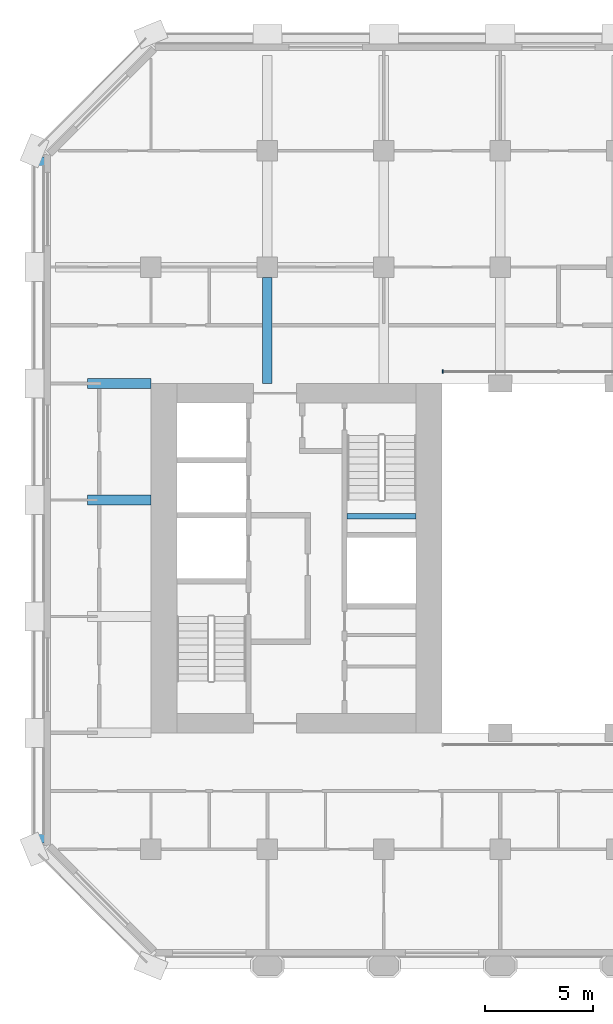
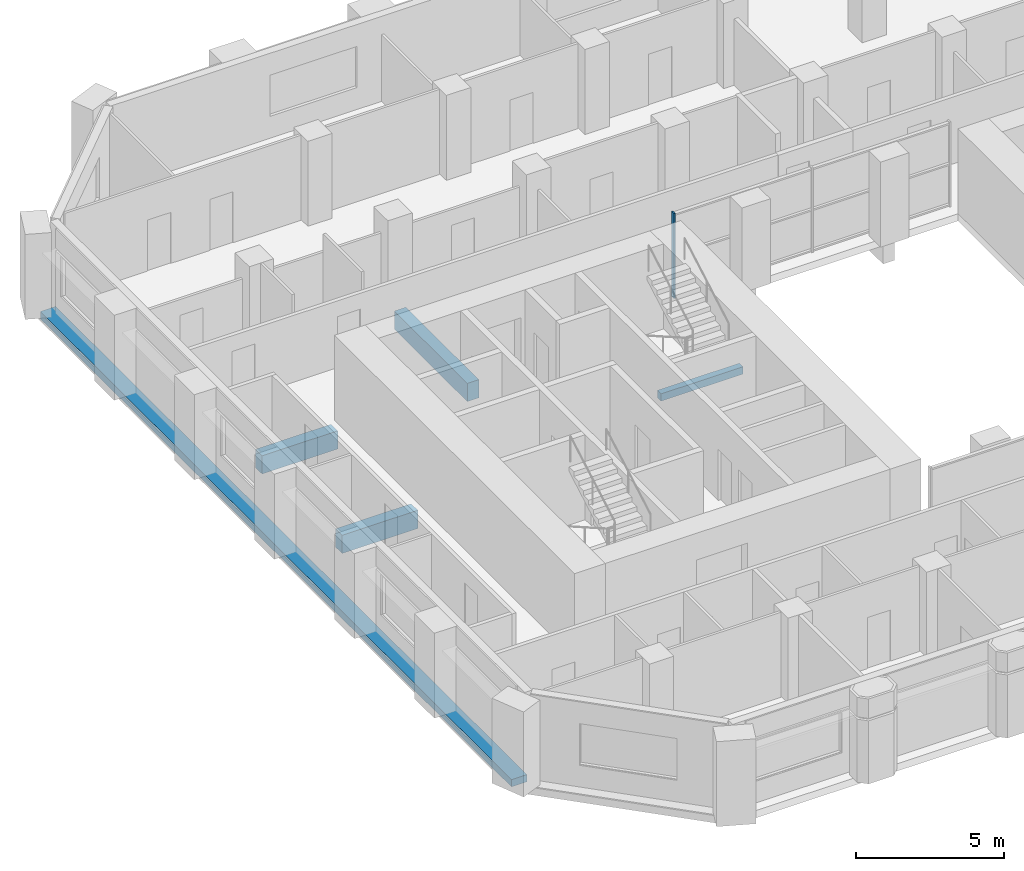
# One storey, part 3 of 13: 5 beams, 1 member, 1 element without a shape of its own.
"""IFC4 building model written with IfcOpenShell, lengths in metres."""

from ifc_helpers import new_model, si_unit, direction, frame, origin, origin_2d, place, context, subcontext, project, spatial, rectangle, extrude, material, material_profile, profile_set, type_object, element, aggregate, save


model = new_model("IFC4")

# Units and contexts
model_context = context("Model", 3, precision=1e-05, world=origin(), true_north=direction((0.0, 1.0)))
body_context = subcontext(model_context, "Body", "Model", "MODEL_VIEW")
ifc_project = project(units=[si_unit("LENGTHUNIT", "METRE"), si_unit("AREAUNIT", "SQUARE_METRE"), si_unit("VOLUMEUNIT", "CUBIC_METRE"), si_unit("PLANEANGLEUNIT", "RADIAN"), si_unit("MASSUNIT", "GRAM", prefix="KILO")], contexts=[model_context])

# Site, building, storey
site_placement = place(None, origin())
site = spatial("IfcSite", under=ifc_project, at=site_placement, CompositionType="ELEMENT")
building_placement = place(site_placement, origin())
building = spatial("IfcBuilding", under=site, at=building_placement, Name="Tabaq Tower and Sports Hall", CompositionType="ELEMENT")
storey_placement = place(building_placement, frame((0.0, 0.0, 110.60009765625)))
storey = spatial("IfcBuildingStorey", under=building, at=storey_placement, Name="L26", CompositionType="ELEMENT", Elevation=110.60009765625)

# Curtain wall, member
ifc_material_1 = material(Name="Aluminium alloy 6063-T6 framed glazing", Category="aluminium")
curtain_wall_type = type_object("IfcCurtainWallType", Name="CW1 curtain wall", PredefinedType="USERDEFINED", material=ifc_material_1)
curtain_wall_placement = place(storey_placement, origin())
curtain_wall = element("IfcCurtainWall", 1, at=curtain_wall_placement, inside=storey, type_object=curtain_wall_type, Name="Atrium glazing L26 N", ObjectType="ATRIUM ENCLOSURE", PredefinedType="USERDEFINED")
ifc_material_2 = material(Name="Aluminium alloy 6063-T6", Category="aluminium")
ifc_material_profile_1 = material_profile(ifc_material_2, rectangle(XDim=0.159912109375, YDim=0.06005859375, at=origin_2d()), Name="MULLION 160x60")
ifc_profile_set_1 = profile_set([ifc_material_profile_1], Name="Aluminium alloy 6063-T6")
member_type = type_object("IfcMemberType", Name="CW1 mullion 160x60", PredefinedType="MULLION", material=ifc_profile_set_1)
member_placement = place(storey_placement, frame((18.929931640625, 32.949951171875, 0.0), z_axis=(0.0, 0.0, 1.0), x_axis=(0.0, 1.0, 0.0)))
member = element("IfcMember", 2, at=member_placement, type_object=member_type, Name="CW1 mullion 1", PredefinedType="MULLION", context=body_context, shape_type="SweptSolid", body=[
    extrude(rectangle(XDim=0.159912109375, YDim=0.06005859375, at=origin_2d()), origin(), (0.0, 0.0, 1.0), 3.5),
])
aggregate(curtain_wall, [member])

# Beams
ifc_material_3 = material(Name="Concrete C40/50", Category="concrete")
ifc_material_profile_2 = material_profile(ifc_material_3, rectangle(XDim=0.449951171875, YDim=0.75, at=origin_2d()), Name="CB 450x750")
ifc_profile_set_2 = profile_set([ifc_material_profile_2], Name="Concrete C40/50")
beam_type_1 = type_object("IfcBeamType", Name="PT CANTILEVER BEAM CB 450x750 C40/50", PredefinedType="BEAM", material=ifc_profile_set_2)
for number, where, z_axis, x_axis, name in (
    (3, (2.449951171875, 27.0, -0.675048828125), (1.0, 0.0, 0.0), (0.0, 1.0, 0.0), "Cantilever Beam L26 W5 span 1"),
    (4, (2.449951171875, 32.39990234375, -0.675048828125), (1.0, 0.0, 0.0), (0.0, 1.0, 0.0), "Cantilever Beam L26 W6 span 1"),
):
    element("IfcBeam", number, at=place(storey_placement, frame(where, z_axis=z_axis, x_axis=x_axis)), inside=storey, type_object=beam_type_1, Name=name, PredefinedType="BEAM", context=body_context, shape_type="SweptSolid", body=[
        extrude(rectangle(XDim=0.449951171875, YDim=0.75, at=origin_2d()), origin(), (0.0, 0.0, 1.0), 2.949951171875),
    ])
beam_1_placement = place(storey_placement, frame((10.800048828125, 37.324951171875, -0.675048828125), z_axis=(0.0, -1.0, 0.0), x_axis=(1.0, 0.0, 0.0)))
element("IfcBeam", 5, at=beam_1_placement, inside=storey, type_object=beam_type_1, Name="Cantilever Beam L26 N2 span 3", PredefinedType="BEAM", context=body_context, shape_type="SweptSolid", body=[
    extrude(rectangle(XDim=0.449951171875, YDim=0.75, at=origin_2d()), origin(), (0.0, 0.0, 1.0), 4.925048828125),
])
ifc_material_4 = material(Name="Concrete C40/50", Category="concrete")
ifc_material_profile_3 = material_profile(ifc_material_4, rectangle(XDim=0.60009765625, YDim=0.300048828125, at=origin_2d()), Name="EB 600x300")
ifc_profile_set_3 = profile_set([ifc_material_profile_3], Name="Concrete C40/50")
beam_type_2 = type_object("IfcBeamType", Name="PT EDGE BEAM EB 600x300 C40/50", PredefinedType="SPANDREL", material=ifc_profile_set_3)
beam_2_placement = place(storey_placement, frame((0.300048828125, 42.9013671875, -0.150146484375), z_axis=(0.0, -1.0, 0.0), x_axis=(1.0, 0.0, 0.0)))
element("IfcBeam", 6, at=beam_2_placement, inside=storey, type_object=beam_type_2, Name="Edge Beam L26 4", PredefinedType="SPANDREL", context=body_context, shape_type="SweptSolid", body=[
    extrude(rectangle(XDim=0.60009765625, YDim=0.300048828125, at=origin_2d()), origin(), (0.0, 0.0, 1.0), 31.802734375),
])
ifc_material_5 = material(Name="Concrete C40/50", Category="concrete")
ifc_material_profile_4 = material_profile(ifc_material_5, rectangle(XDim=0.25, YDim=0.300048828125, at=origin_2d()), Name="RC 250x300")
ifc_profile_set_4 = profile_set([ifc_material_profile_4], Name="Concrete C40/50")
beam_type_3 = type_object("IfcBeamType", Name="Stair landing beam 250x300", PredefinedType="BEAM", material=ifc_profile_set_4)
beam_3_placement = place(storey_placement, frame((14.5, 26.25, 1.5498046875), z_axis=(1.0, 0.0, 0.0), x_axis=(0.0, 1.0, 0.0)))
element("IfcBeam", 7, at=beam_3_placement, inside=storey, type_object=beam_type_3, Name="L26 ST2 landing beam 1", PredefinedType="BEAM", context=body_context, shape_type="SweptSolid", body=[
    extrude(rectangle(XDim=0.25, YDim=0.300048828125, at=origin_2d()), origin(), (0.0, 0.0, 1.0), 3.199951171875),
])

save(model, "model.ifc")
